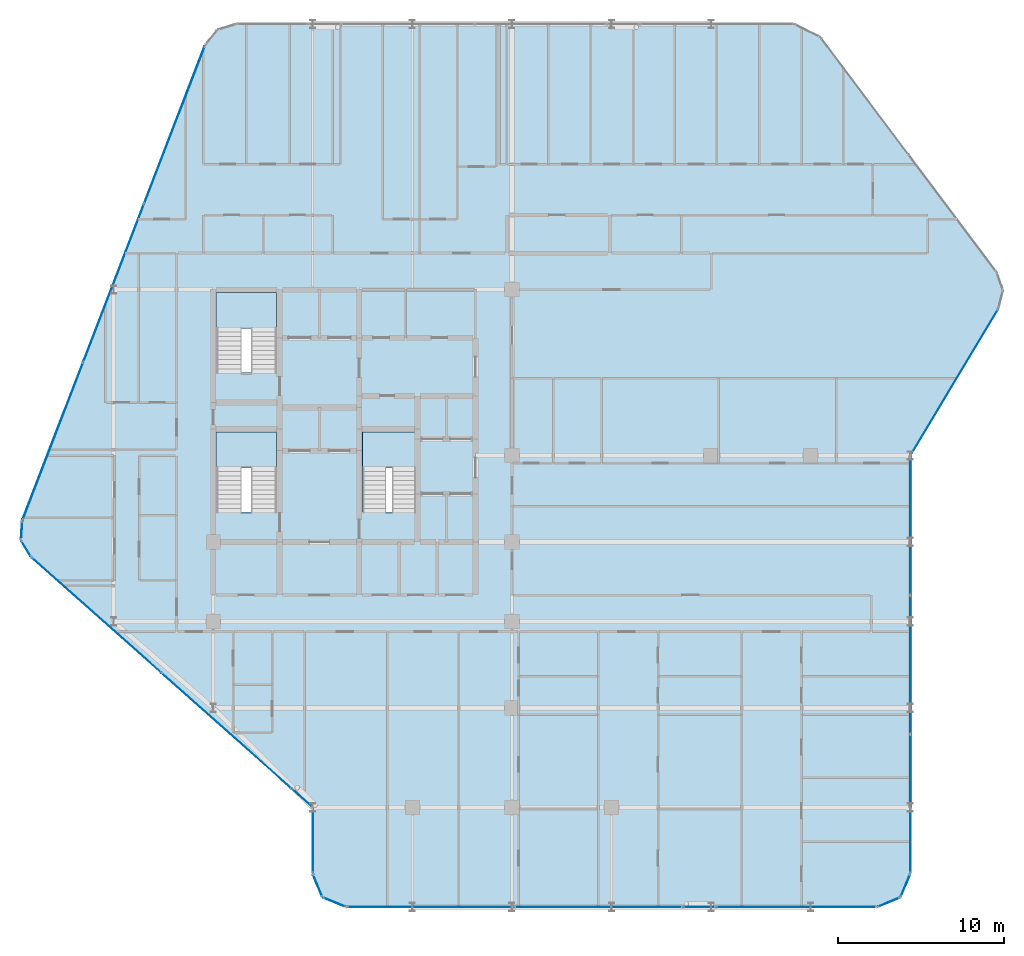
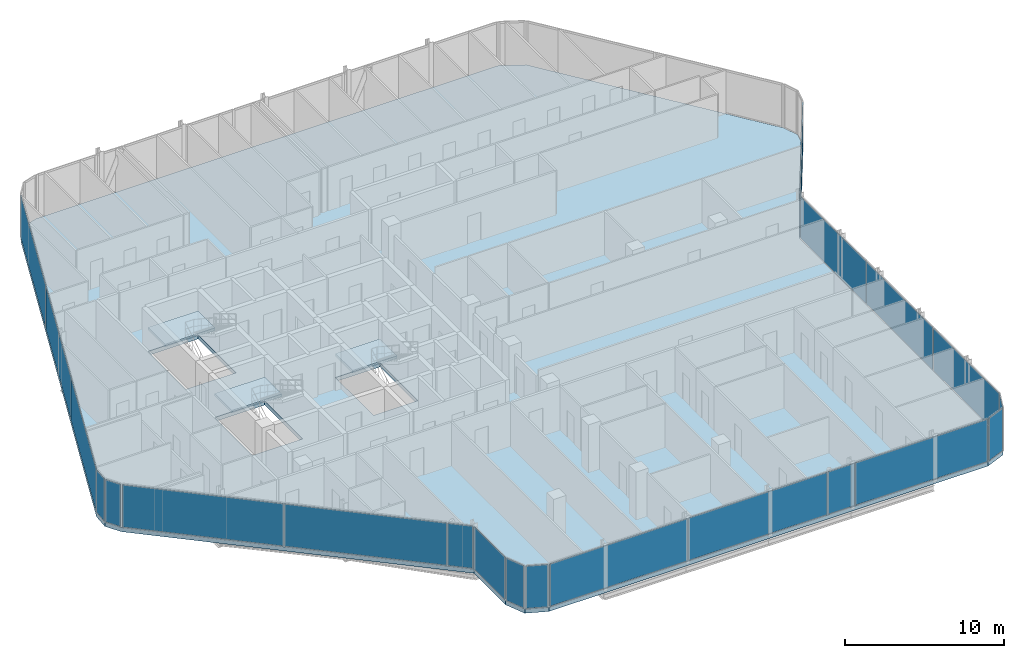
# One storey, part 23 of 31: 21 plates, 4 slabs, 18 elements without a shape of their own.
"""IFC4 building model written with IfcOpenShell, lengths in metres."""

from ifc_helpers import new_model, si_unit, direction, frame, origin, origin_2d, place, context, subcontext, project, spatial, polyline, rectangle, outline, extrude, material, layer, layer_set, type_object, element, aggregate, save


model = new_model("IFC4")

# Units and contexts
model_context = context("Model", 3, precision=1e-05, world=origin(), true_north=direction((0.0, 1.0)))
body_context = subcontext(model_context, "Body", "Model", "MODEL_VIEW")
ifc_project = project(units=[si_unit("LENGTHUNIT", "METRE"), si_unit("AREAUNIT", "SQUARE_METRE"), si_unit("VOLUMEUNIT", "CUBIC_METRE"), si_unit("PLANEANGLEUNIT", "RADIAN"), si_unit("MASSUNIT", "GRAM", prefix="KILO")], contexts=[model_context])

# Site, building, storey
site_placement = place(None, origin())
site = spatial("IfcSite", under=ifc_project, at=site_placement, CompositionType="ELEMENT")
building_placement = place(site_placement, origin())
building = spatial("IfcBuilding", under=site, at=building_placement, Name="Keshet Zoharim Tower", CompositionType="ELEMENT")
storey_placement = place(building_placement, frame((0.0, 0.0, 144.60009765625)))
storey = spatial("IfcBuildingStorey", under=building, at=storey_placement, Name="L35", CompositionType="ELEMENT", Elevation=144.60009765625)

# Curtain wall, plate
ifc_material_1 = material(Name="Aluminium 6063-T6", Category="aluminium")
ifc_layer_1 = layer(ifc_material_1, 0.159912109375)
ifc_layer_set_1 = layer_set([ifc_layer_1], Name="Aluminium 6063-T6")
curtain_wall_type = type_object("IfcCurtainWallType", Name="CW-SYS-03", PredefinedType="NOTDEFINED", material=ifc_layer_set_1)
curtain_wall_1_placement = place(storey_placement, origin())
curtain_wall_1 = element("IfcCurtainWall", 1, at=curtain_wall_1_placement, inside=storey, type_object=curtain_wall_type, Name="L35 Unitised Curtain Wall 01", PredefinedType="NOTDEFINED")
ifc_material_2 = material(Name="Insulated Low-E Clear Glass", Category="glass")
ifc_layer_2 = layer(ifc_material_2, 0.035888671875)
ifc_layer_set_2 = layer_set([ifc_layer_2], Name="Insulated Low-E Clear Glass")
plate_type_1 = type_object("IfcPlateType", Name="CWP-01", PredefinedType="CURTAIN_PANEL", material=ifc_layer_set_2)
plate_1_placement = place(storey_placement, frame((56.70703125, 1.992919921875, 0.06982421875), z_axis=(0.0, 0.0, 1.0), x_axis=(-0.382851849847, -0.92380975372, 0.0)))
plate_1 = element("IfcPlate", 2, at=plate_1_placement, type_object=plate_type_1, Name="CW-03 panel 1.1", PredefinedType="CURTAIN_PANEL", context=body_context, shape_type="SweptSolid", body=[
    extrude(rectangle(XDim=1.390625, YDim=0.035888671875, at=origin_2d()), origin(), (0.0, 0.0, 1.0), 3.2451171875),
])
aggregate(curtain_wall_1, [plate_1])

curtain_wall_2_placement = place(storey_placement, origin())
curtain_wall_2 = element("IfcCurtainWall", 3, at=curtain_wall_2_placement, inside=storey, type_object=curtain_wall_type, Name="L35 Unitised Curtain Wall 02", PredefinedType="NOTDEFINED")
plate_2_placement = place(storey_placement, frame((55.70703125, 0.992919921875, 0.06982421875), z_axis=(0.0, 0.0, 1.0), x_axis=(-0.92380975372, -0.382851849847, 0.0)))
plate_2 = element("IfcPlate", 4, at=plate_2_placement, type_object=plate_type_1, Name="CW-03 panel 1.1", PredefinedType="CURTAIN_PANEL", context=body_context, shape_type="SweptSolid", body=[
    extrude(rectangle(XDim=1.390625, YDim=0.035888671875, at=origin_2d()), origin(), (0.0, 0.0, 1.0), 3.2451171875),
])
aggregate(curtain_wall_2, [plate_2])

curtain_wall_3_placement = place(storey_placement, origin())
curtain_wall_3 = element("IfcCurtainWall", 5, at=curtain_wall_3_placement, inside=storey, type_object=curtain_wall_type, Name="L35 Unitised Curtain Wall 03", PredefinedType="NOTDEFINED")
plate_3_placement = place(storey_placement, frame((50.1240234375, 0.699951171875, 0.06982421875), z_axis=(0.0, 0.0, 1.0), x_axis=(-1.0, 0.0, 0.0)))
plate_3 = element("IfcPlate", 6, at=plate_3_placement, type_object=plate_type_1, Name="CW-03 panel 1.1", PredefinedType="CURTAIN_PANEL", context=body_context, shape_type="SweptSolid", body=[
    extrude(rectangle(XDim=9.61181640625, YDim=0.035888671875, at=origin_2d()), origin(), (0.0, 0.0, 1.0), 3.2451171875),
])
aggregate(curtain_wall_3, [plate_3])

# Curtain wall, plates
curtain_wall_4_placement = place(storey_placement, origin())
curtain_wall_4 = element("IfcCurtainWall", 7, at=curtain_wall_4_placement, inside=storey, type_object=curtain_wall_type, Name="L35 Unitised Curtain Wall 03 Part 3", PredefinedType="NOTDEFINED")
plate_4_placement = place(storey_placement, frame((38.20654296875, 0.699951171875, 0.06982421875), z_axis=(0.0, 0.0, 1.0), x_axis=(-1.0, 0.0, 0.0)))
plate_4 = element("IfcPlate", 8, at=plate_4_placement, type_object=plate_type_1, Name="CW-03 panel 1.1", PredefinedType="CURTAIN_PANEL", context=body_context, shape_type="SweptSolid", body=[
    extrude(rectangle(XDim=10.091064453125, YDim=0.035888671875, at=origin_2d()), origin(), (0.0, 0.0, 1.0), 3.2451171875),
])
plate_5_placement = place(storey_placement, frame((28.08056640625, 0.699951171875, 0.06982421875), z_axis=(0.0, 0.0, 1.0), x_axis=(-1.0, 0.0, 0.0)))
plate_5 = element("IfcPlate", 9, at=plate_5_placement, type_object=plate_type_1, Name="CW-03 panel 2.1", PredefinedType="CURTAIN_PANEL", context=body_context, shape_type="SweptSolid", body=[
    extrude(rectangle(XDim=10.02099609375, YDim=0.035888671875, at=origin_2d()), origin(), (0.0, 0.0, 1.0), 3.2451171875),
])
aggregate(curtain_wall_4, [plate_4, plate_5])

# Curtain wall, plate
curtain_wall_5_placement = place(storey_placement, origin())
curtain_wall_5 = element("IfcCurtainWall", 10, at=curtain_wall_5_placement, inside=storey, type_object=curtain_wall_type, Name="L35 Unitised Curtain Wall 04", PredefinedType="NOTDEFINED")
plate_6_placement = place(storey_placement, frame((22.29296875, 0.992919921875, 0.06982421875), z_axis=(0.0, 0.0, 1.0), x_axis=(-0.92380975372, 0.382851849847, 0.0)))
plate_6 = element("IfcPlate", 11, at=plate_6_placement, type_object=plate_type_1, Name="CW-03 panel 1.1", PredefinedType="CURTAIN_PANEL", context=body_context, shape_type="SweptSolid", body=[
    extrude(rectangle(XDim=1.390625, YDim=0.035888671875, at=origin_2d()), origin(), (0.0, 0.0, 1.0), 3.2451171875),
])
aggregate(curtain_wall_5, [plate_6])

curtain_wall_6_placement = place(storey_placement, origin())
curtain_wall_6 = element("IfcCurtainWall", 12, at=curtain_wall_6_placement, inside=storey, type_object=curtain_wall_type, Name="L35 Unitised Curtain Wall 05", PredefinedType="NOTDEFINED")
plate_7_placement = place(storey_placement, frame((21.29296875, 1.992919921875, 0.06982421875), z_axis=(0.0, 0.0, 1.0), x_axis=(-0.382851849847, 0.92380975372, 0.0)))
plate_7 = element("IfcPlate", 13, at=plate_7_placement, type_object=plate_type_1, Name="CW-03 panel 1.1", PredefinedType="CURTAIN_PANEL", context=body_context, shape_type="SweptSolid", body=[
    extrude(rectangle(XDim=1.390625, YDim=0.035888671875, at=origin_2d()), origin(), (0.0, 0.0, 1.0), 3.2451171875),
])
aggregate(curtain_wall_6, [plate_7])

curtain_wall_7_placement = place(storey_placement, origin())
curtain_wall_7 = element("IfcCurtainWall", 14, at=curtain_wall_7_placement, inside=storey, type_object=curtain_wall_type, Name="L35 Unitised Curtain Wall 06", PredefinedType="NOTDEFINED")
plate_8_placement = place(storey_placement, frame((21.0, 4.699951171875, 0.06982421875), z_axis=(0.0, 0.0, 1.0), x_axis=(0.0, 1.0, 0.0)))
plate_8 = element("IfcPlate", 15, at=plate_8_placement, type_object=plate_type_1, Name="CW-03 panel 1.1", PredefinedType="CURTAIN_PANEL", context=body_context, shape_type="SweptSolid", body=[
    extrude(rectangle(XDim=3.860107421875, YDim=0.035888671875, at=origin_2d()), origin(), (0.0, 0.0, 1.0), 3.2451171875),
])
aggregate(curtain_wall_7, [plate_8])

# Curtain wall, plates
curtain_wall_8_placement = place(storey_placement, origin())
curtain_wall_8 = element("IfcCurtainWall", 16, at=curtain_wall_8_placement, inside=storey, type_object=curtain_wall_type, Name="L35 Unitised Curtain Wall 07 Part 2", PredefinedType="NOTDEFINED")
plate_9_placement = place(storey_placement, frame((15.79296875, 11.328369140625, 0.06982421875), z_axis=(0.0, 0.0, 1.0), x_axis=(-0.747409582009, 0.664363542589, 0.0)))
plate_9 = element("IfcPlate", 17, at=plate_9_placement, type_object=plate_type_1, Name="CW-03 panel 1.1", PredefinedType="CURTAIN_PANEL", context=body_context, shape_type="SweptSolid", body=[
    extrude(rectangle(XDim=10.441162109375, YDim=0.035888671875, at=origin_2d()), origin(), (0.0, 0.0, 1.0), 3.2451171875),
])
plate_10_placement = place(storey_placement, frame((7.963134765625, 18.288330078125, 0.06982421875), z_axis=(0.0, 0.0, 1.0), x_axis=(-0.747409582009, 0.664363542589, 0.0)))
plate_10 = element("IfcPlate", 18, at=plate_10_placement, type_object=plate_type_1, Name="CW-03 panel 2.1", PredefinedType="CURTAIN_PANEL", context=body_context, shape_type="SweptSolid", body=[
    extrude(rectangle(XDim=10.37109375, YDim=0.035888671875, at=origin_2d()), origin(), (0.0, 0.0, 1.0), 3.2451171875),
])
aggregate(curtain_wall_8, [plate_9, plate_10])

# Curtain wall, plate
curtain_wall_9_placement = place(storey_placement, origin())
curtain_wall_9 = element("IfcCurtainWall", 19, at=curtain_wall_9_placement, inside=storey, type_object=curtain_wall_type, Name="L35 Unitised Curtain Wall 08", PredefinedType="NOTDEFINED")
plate_11_placement = place(storey_placement, frame((3.7275390625, 22.291015625, 0.06982421875), z_axis=(0.0, 0.0, 1.0), x_axis=(-0.515604947933, 0.856826433805, 0.0)))
plate_11 = element("IfcPlate", 20, at=plate_11_placement, type_object=plate_type_1, Name="CW-03 panel 1.1", PredefinedType="CURTAIN_PANEL", context=body_context, shape_type="SweptSolid", body=[
    extrude(rectangle(XDim=1.052734375, YDim=0.035888671875, at=origin_2d()), origin(), (0.0, 0.0, 1.0), 3.2451171875),
])
aggregate(curtain_wall_9, [plate_11])

curtain_wall_10_placement = place(storey_placement, origin())
curtain_wall_10 = element("IfcCurtainWall", 21, at=curtain_wall_10_placement, inside=storey, type_object=curtain_wall_type, Name="L35 Unitised Curtain Wall 09", PredefinedType="NOTDEFINED")
plate_12_placement = place(storey_placement, frame((3.45849609375, 23.3974609375, 0.06982421875), z_axis=(0.0, 0.0, 1.0), x_axis=(0.064516859374, 0.997916617186, 0.0)))
plate_12 = element("IfcPlate", 22, at=plate_12_placement, type_object=plate_type_1, Name="CW-03 panel 1.1", PredefinedType="CURTAIN_PANEL", context=body_context, shape_type="SweptSolid", body=[
    extrude(rectangle(XDim=1.053466796875, YDim=0.035888671875, at=origin_2d()), origin(), (0.0, 0.0, 1.0), 3.2451171875),
])
aggregate(curtain_wall_10, [plate_12])

# Curtain wall, plates
curtain_wall_11_placement = place(storey_placement, origin())
curtain_wall_11 = element("IfcCurtainWall", 23, at=curtain_wall_11_placement, inside=storey, type_object=curtain_wall_type, Name="L35 Unitised Curtain Wall 10", PredefinedType="NOTDEFINED")
plate_13_placement = place(storey_placement, frame((5.33837890625, 28.7802734375, 0.06982421875), z_axis=(0.0, 0.0, 1.0), x_axis=(0.358990003907, 0.933341404361, 0.0)))
plate_13 = element("IfcPlate", 24, at=plate_13_placement, type_object=plate_type_1, Name="CW-03 panel 1.1", PredefinedType="CURTAIN_PANEL", context=body_context, shape_type="SweptSolid", body=[
    extrude(rectangle(XDim=10.1181640625, YDim=0.035888671875, at=origin_2d()), origin(), (0.0, 0.0, 1.0), 3.2451171875),
])
plate_14_placement = place(storey_placement, frame((9.001953125, 38.305419921875, 0.06982421875), z_axis=(0.0, 0.0, 1.0), x_axis=(0.358990003907, 0.933341404361, 0.0)))
plate_14 = element("IfcPlate", 25, at=plate_14_placement, type_object=plate_type_1, Name="CW-03 panel 2.1", PredefinedType="CURTAIN_PANEL", context=body_context, shape_type="SweptSolid", body=[
    extrude(rectangle(XDim=10.153076171875, YDim=0.035888671875, at=origin_2d()), origin(), (0.0, 0.0, 1.0), 3.2451171875),
])
plate_15_placement = place(storey_placement, frame((12.665771484375, 47.830810546875, 0.06982421875), z_axis=(0.0, 0.0, 1.0), x_axis=(0.358990003907, 0.933341404361, 0.0)))
plate_15 = element("IfcPlate", 26, at=plate_15_placement, type_object=plate_type_1, Name="CW-03 panel 3.1", PredefinedType="CURTAIN_PANEL", context=body_context, shape_type="SweptSolid", body=[
    extrude(rectangle(XDim=10.1181640625, YDim=0.035888671875, at=origin_2d()), origin(), (0.0, 0.0, 1.0), 3.2451171875),
])
aggregate(curtain_wall_11, [plate_13, plate_14, plate_15])

# Curtain wall, plate
curtain_wall_12_placement = place(storey_placement, origin())
curtain_wall_12 = element("IfcCurtainWall", 27, at=curtain_wall_12_placement, inside=storey, type_object=curtain_wall_type, Name="L35 Unitised Curtain Wall 18", PredefinedType="NOTDEFINED")
plate_16_placement = place(storey_placement, frame((59.654052734375, 32.323486328125, 0.06982421875), z_axis=(0.0, 0.0, 1.0), x_axis=(-0.514481501576, -0.857501477862, 0.0)))
plate_16 = element("IfcPlate", 28, at=plate_16_placement, type_object=plate_type_1, Name="CW-03 panel 1.1", PredefinedType="CURTAIN_PANEL", context=body_context, shape_type="SweptSolid", body=[
    extrude(rectangle(XDim=10.17724609375, YDim=0.035888671875, at=origin_2d()), origin(), (0.0, 0.0, 1.0), 3.2451171875),
])
aggregate(curtain_wall_12, [plate_16])

# Curtain wall, plates
curtain_wall_13_placement = place(storey_placement, origin())
curtain_wall_13 = element("IfcCurtainWall", 29, at=curtain_wall_13_placement, inside=storey, type_object=curtain_wall_type, Name="L35 Unitised Curtain Wall 19", PredefinedType="NOTDEFINED")
ifc_layer_3 = layer(ifc_material_2, 0.031982421875)
ifc_layer_set_3 = layer_set([ifc_layer_3], Name="Insulated Low-E Clear Glass")
plate_type_2 = type_object("IfcPlateType", Name="CWP-02", PredefinedType="CURTAIN_PANEL", material=ifc_layer_set_3)
plate_17_placement = place(storey_placement, frame((57.0, 23.6826171875, 0.06982421875), z_axis=(0.0, 0.0, 1.0), x_axis=(0.0, -1.0, 0.0)))
plate_17 = element("IfcPlate", 30, at=plate_17_placement, type_object=plate_type_2, Name="CW-03 panel 1.1", PredefinedType="CURTAIN_PANEL", context=body_context, shape_type="SweptSolid", body=[
    extrude(rectangle(XDim=8.294921875, YDim=0.031982421875, at=origin_2d()), origin(), (0.0, 0.0, 1.0), 3.2451171875),
])
plate_18_placement = place(storey_placement, frame((57.0, 15.300048828125, 0.06982421875), z_axis=(0.0, 0.0, 1.0), x_axis=(0.0, -1.0, 0.0)))
plate_18 = element("IfcPlate", 31, at=plate_18_placement, type_object=plate_type_2, Name="CW-03 panel 2.1", PredefinedType="CURTAIN_PANEL", context=body_context, shape_type="SweptSolid", body=[
    extrude(rectangle(XDim=8.330078125, YDim=0.031982421875, at=origin_2d()), origin(), (0.0, 0.0, 1.0), 3.2451171875),
])
plate_19_placement = place(storey_placement, frame((57.0, 6.91748046875, 0.06982421875), z_axis=(0.0, 0.0, 1.0), x_axis=(0.0, -1.0, 0.0)))
plate_19 = element("IfcPlate", 32, at=plate_19_placement, type_object=plate_type_2, Name="CW-03 panel 3.1", PredefinedType="CURTAIN_PANEL", context=body_context, shape_type="SweptSolid", body=[
    extrude(rectangle(XDim=8.294921875, YDim=0.031982421875, at=origin_2d()), origin(), (0.0, 0.0, 1.0), 3.2451171875),
])
aggregate(curtain_wall_13, [plate_17, plate_18, plate_19])

# Curtain wall, plate
curtain_wall_14_placement = place(storey_placement, origin())
curtain_wall_14 = element("IfcCurtainWall", 33, at=curtain_wall_14_placement, inside=storey, type_object=curtain_wall_type, Name="L35 Unitised Curtain Wall 03 Part 2", PredefinedType="NOTDEFINED")
ifc_material_3 = material(Name="Insulated Aluminium Spandrel Panel", Category="aluminium")
ifc_layer_4 = layer(ifc_material_3, 0.035888671875)
ifc_layer_set_4 = layer_set([ifc_layer_4], Name="Insulated Aluminium Spandrel Panel")
plate_type_3 = type_object("IfcPlateType", Name="CWP-04", PredefinedType="CURTAIN_PANEL", material=ifc_layer_set_4)
plate_20_placement = place(storey_placement, frame((44.284912109375, 0.699951171875, 0.06982421875), z_axis=(0.0, 0.0, 1.0), x_axis=(-1.0, 0.0, 0.0)))
plate_20 = element("IfcPlate", 34, at=plate_20_placement, type_object=plate_type_3, Name="CW-03 spandrel panel 1.1", PredefinedType="CURTAIN_PANEL", context=body_context, shape_type="SweptSolid", body=[
    extrude(rectangle(XDim=1.92626953125, YDim=0.035888671875, at=origin_2d()), origin(), (0.0, 0.0, 1.0), 3.2451171875),
])
aggregate(curtain_wall_14, [plate_20])

curtain_wall_15_placement = place(storey_placement, origin())
curtain_wall_15 = element("IfcCurtainWall", 35, at=curtain_wall_15_placement, inside=storey, type_object=curtain_wall_type, Name="L35 Unitised Curtain Wall 07", PredefinedType="NOTDEFINED")
plate_21_placement = place(storey_placement, frame((20.347412109375, 7.280029296875, 0.06982421875), z_axis=(0.0, 0.0, 1.0), x_axis=(-0.747406159057, 0.664367393393, 0.0)))
plate_21 = element("IfcPlate", 36, at=plate_21_placement, type_object=plate_type_3, Name="CW-03 spandrel panel 1.1", PredefinedType="CURTAIN_PANEL", context=body_context, shape_type="SweptSolid", body=[
    extrude(rectangle(XDim=1.606201171875, YDim=0.035888671875, at=origin_2d()), origin(), (0.0, 0.0, 1.0), 3.2451171875),
])
aggregate(curtain_wall_15, [plate_21])

# Stair, slab
ifc_material_4 = material(Name="Concrete C50/60", Category="concrete")
stair_type = type_object("IfcStairType", Name="STR-EXIT-135", PredefinedType="HALF_TURN_STAIR", material=ifc_material_4)
stair_1_placement = place(storey_placement, origin())
stair_1 = element("IfcStair", 37, at=stair_1_placement, inside=storey, type_object=stair_type, Name="L35 Enclosed Exit Stair ST-01", PredefinedType="HALF_TURN_STAIR")
ifc_layer_5 = layer(ifc_material_4, 0.199951171875)
ifc_layer_set_5 = layer_set([ifc_layer_5], Name="Concrete C50/60")
slab_type_1 = type_object("IfcSlabType", Name="SLB-LND-200", PredefinedType="LANDING", material=ifc_layer_set_5)
slab_1_placement = place(storey_placement, frame((0.0, 0.0, 1.64990234375)))
slab_1 = element("IfcSlab", 38, at=slab_1_placement, type_object=slab_type_1, Name="ST-01 landing 1", PredefinedType="LANDING", context=body_context, shape_type="SweptSolid", body=[
    extrude(outline(polyline([(15.179931640625, 27.159912109375), (18.820068359375, 27.159912109375), (18.820068359375, 29.320068359375), (15.179931640625, 29.320068359375), (15.179931640625, 27.159912109375)])), origin(), (0.0, 0.0, 1.0), 0.199951171875),
])
aggregate(stair_1, [slab_1])

stair_2_placement = place(storey_placement, origin())
stair_2 = element("IfcStair", 39, at=stair_2_placement, inside=storey, type_object=stair_type, Name="L35 Enclosed Exit Stair ST-02", PredefinedType="HALF_TURN_STAIR")
slab_2_placement = place(storey_placement, frame((0.0, 0.0, 1.64990234375)))
slab_2 = element("IfcSlab", 40, at=slab_2_placement, type_object=slab_type_1, Name="ST-02 landing 1", PredefinedType="LANDING", context=body_context, shape_type="SweptSolid", body=[
    extrude(outline(polyline([(15.179931640625, 35.56005859375), (18.820068359375, 35.56005859375), (18.820068359375, 37.719970703125), (15.179931640625, 37.719970703125), (15.179931640625, 35.56005859375)])), origin(), (0.0, 0.0, 1.0), 0.199951171875),
])
aggregate(stair_2, [slab_2])

stair_3_placement = place(storey_placement, origin())
stair_3 = element("IfcStair", 41, at=stair_3_placement, inside=storey, type_object=stair_type, Name="L35 Enclosed Exit Stair ST-03", PredefinedType="HALF_TURN_STAIR")
slab_3_placement = place(storey_placement, frame((0.0, 0.0, 1.64990234375)))
slab_3 = element("IfcSlab", 42, at=slab_3_placement, type_object=slab_type_1, Name="ST-03 landing 1", PredefinedType="LANDING", context=body_context, shape_type="SweptSolid", body=[
    extrude(outline(polyline([(23.97998046875, 27.159912109375), (27.219970703125, 27.159912109375), (27.219970703125, 29.320068359375), (23.97998046875, 29.320068359375), (23.97998046875, 27.159912109375)])), origin(), (0.0, 0.0, 1.0), 0.199951171875),
])
aggregate(stair_3, [slab_3])

# Slab
ifc_layer_6 = layer(ifc_material_4, 0.31494140625)
ifc_layer_set_6 = layer_set([ifc_layer_6], Name="Concrete C50/60")
slab_type_2 = type_object("IfcSlabType", Name="SLB-LOW-260", PredefinedType="FLOOR", material=ifc_layer_set_6)
slab_4_placement = place(storey_placement, frame((0.0, 0.0, -0.315185546875)))
element("IfcSlab", 43, at=slab_4_placement, inside=storey, type_object=slab_type_2, Name="L35 Structural Floor Slab 1", PredefinedType="FLOOR", context=body_context, shape_type="SweptSolid", body=[
    extrude(outline(polyline([(57.0, 2.699951171875), (56.4140625, 1.285888671875), (55.0, 0.699951171875), (23.0, 0.699951171875), (21.5859375, 1.285888671875), (21.0, 2.699951171875), (21.0, 6.699951171875), (4.034912109375, 21.780029296875), (3.419921875, 22.802001953125), (3.4970703125, 23.992919921875), (14.507080078125, 52.617919921875), (15.240966796875, 53.549072265625), (16.3740234375, 53.89990234375), (50.0, 53.89990234375), (51.60009765625, 53.10009765625), (62.193115234375, 38.97607421875), (62.590087890625, 37.87890625), (62.30810546875, 36.7470703125), (57.0, 27.89990234375), (57.0, 2.699951171875)]), holes=[polyline([(15.179931640625, 24.52001953125), (18.820068359375, 24.52001953125), (18.820068359375, 29.320068359375), (15.179931640625, 29.320068359375), (15.179931640625, 24.52001953125)]), polyline([(15.179931640625, 32.919921875), (18.820068359375, 32.919921875), (18.820068359375, 37.719970703125), (15.179931640625, 37.719970703125), (15.179931640625, 32.919921875)]), polyline([(23.97998046875, 24.52001953125), (27.219970703125, 24.52001953125), (27.219970703125, 29.320068359375), (23.97998046875, 29.320068359375), (23.97998046875, 24.52001953125)])]), origin(), (0.0, 0.0, 1.0), 0.315185546875),
])

save(model, "model.ifc")
